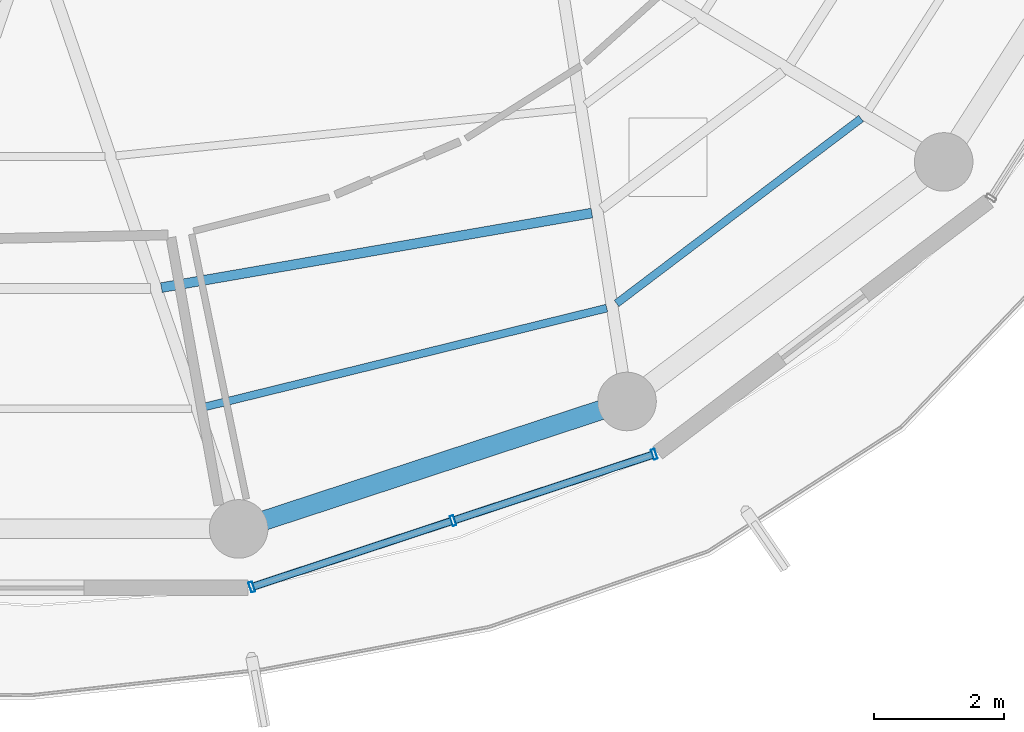
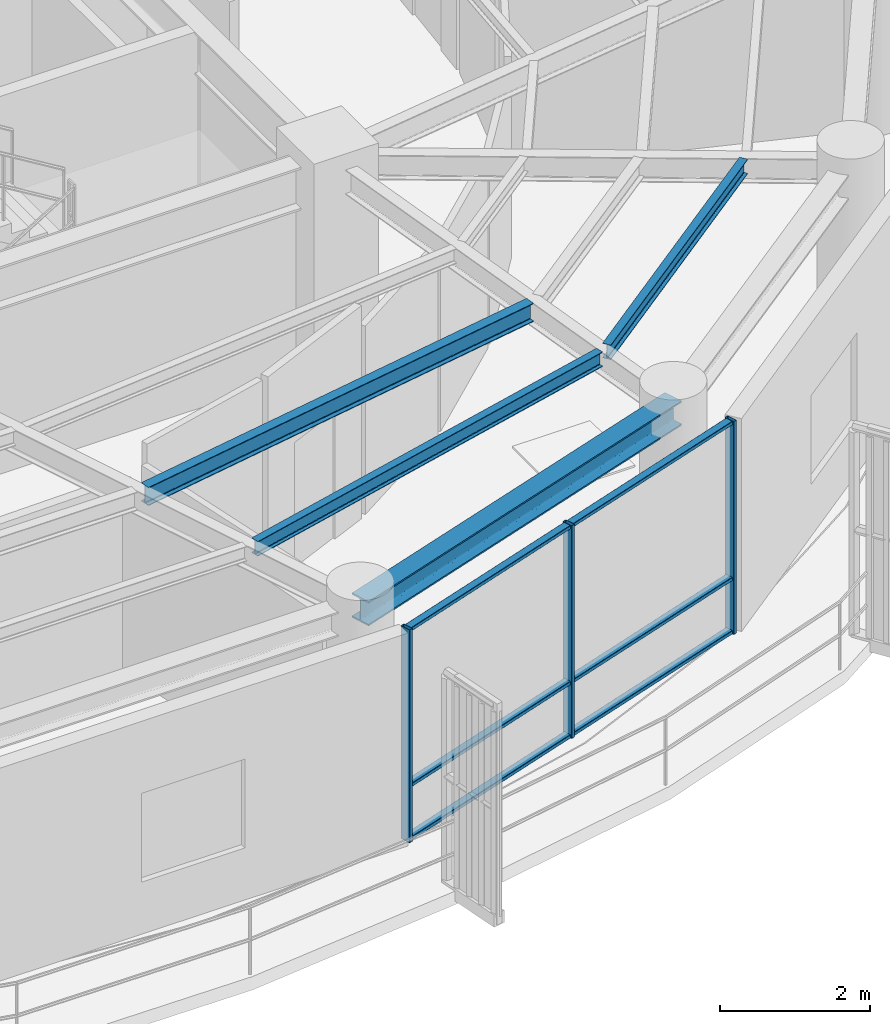
# One storey, part 5 of 23: 9 members, 4 beams, 1 element without a shape of its own.
"""IFC4 building model written with IfcOpenShell, lengths in metres."""

from ifc_helpers import new_model, si_unit, direction, frame, origin, origin_2d, place, context, subcontext, project, spatial, hollow_rectangle, i_section, extrude, material, layer, layer_set, material_profile, profile_set, type_object, element, aggregate, save


model = new_model("IFC4")

# Units and contexts
model_context = context("Model", 3, precision=1e-05, world=origin(), true_north=direction((0.0, 1.0)))
body_context = subcontext(model_context, "Body", "Model", "MODEL_VIEW")
ifc_project = project(units=[si_unit("LENGTHUNIT", "METRE"), si_unit("AREAUNIT", "SQUARE_METRE"), si_unit("VOLUMEUNIT", "CUBIC_METRE"), si_unit("PLANEANGLEUNIT", "RADIAN"), si_unit("MASSUNIT", "GRAM", prefix="KILO")], contexts=[model_context])

# Site, building, storey
site_placement = place(None, origin())
site = spatial("IfcSite", under=ifc_project, at=site_placement, CompositionType="ELEMENT")
building_placement = place(site_placement, origin())
building = spatial("IfcBuilding", under=site, at=building_placement, Name="Kelanora Arch Commons", CompositionType="ELEMENT")
storey_placement = place(building_placement, frame((0.0, 0.0, 286.199951171875)))
storey = spatial("IfcBuildingStorey", under=building, at=storey_placement, Name="L73", CompositionType="ELEMENT", Elevation=286.199951171875)

# Beams
ifc_material_1 = material(Name="Steel S355", Category="steel")
ifc_material_profile_1 = material_profile(ifc_material_1, i_section(OverallWidth=0.14990234375, OverallDepth=0.300048828125, WebThickness=0.007080078125, FlangeThickness=0.0107421875, FilletRadius=0.014892578125, at=origin_2d()), Name="IPE300")
ifc_profile_set_1 = profile_set([ifc_material_profile_1], Name="Steel S355")
beam_type_1 = type_object("IfcBeamType", Name="BM-JST-01", PredefinedType="JOIST", material=ifc_profile_set_1)
beam_1_placement = place(storey_placement, frame((75.98828125, 45.476806640625, 3.340087890625), z_axis=(0.985321568263, 0.170708544357, 0.0), x_axis=(-0.170708544357, 0.985321568263, 0.0)))
element("IfcBeam", 1, at=beam_1_placement, inside=storey, type_object=beam_type_1, Name="Secondary Chord Joist BJB-28 L73", PredefinedType="JOIST", context=body_context, shape_type="SweptSolid", body=[
    extrude(i_section(OverallWidth=0.14990234375, OverallDepth=0.300048828125, WebThickness=0.007080078125, FlangeThickness=0.0107421875, FilletRadius=0.014892578125, at=origin_2d()), origin(), (0.0, 0.0, 1.0), 6.710205078125),
])
ifc_material_profile_2 = material_profile(ifc_material_1, i_section(OverallWidth=0.1201171875, OverallDepth=0.239990234375, WebThickness=0.006103515625, FlangeThickness=0.009765625, FilletRadius=0.014892578125, at=origin_2d()), Name="IPE240")
ifc_profile_set_2 = profile_set([ifc_material_profile_2], Name="Steel S355")
beam_type_2 = type_object("IfcBeamType", Name="BM-JST-02", PredefinedType="JOIST", material=ifc_profile_set_2)
beam_2_placement = place(storey_placement, frame((76.6220703125, 43.63671875, 3.3701171875), z_axis=(0.971109719488, 0.23863342749, 0.0), x_axis=(-0.23863342749, 0.971109719488, 0.0)))
element("IfcBeam", 2, at=beam_2_placement, inside=storey, type_object=beam_type_2, Name="Secondary Chord Joist BJC-28 L73", PredefinedType="JOIST", context=body_context, shape_type="SweptSolid", body=[
    extrude(i_section(OverallWidth=0.1201171875, OverallDepth=0.239990234375, WebThickness=0.006103515625, FlangeThickness=0.009765625, FilletRadius=0.014892578125, at=origin_2d()), origin(), (0.0, 0.0, 1.0), 6.39208984375),
])
beam_3_placement = place(storey_placement, frame((82.979736328125, 45.233642578125, 3.3701171875), z_axis=(0.79752302984, 0.60328850219, 0.0), x_axis=(-0.60328850219, 0.79752302984, 0.0)))
element("IfcBeam", 3, at=beam_3_placement, inside=storey, type_object=beam_type_2, Name="Secondary Chord Joist BJC-30 L73", PredefinedType="JOIST", context=body_context, shape_type="SweptSolid", body=[
    extrude(i_section(OverallWidth=0.1201171875, OverallDepth=0.239990234375, WebThickness=0.006103515625, FlangeThickness=0.009765625, FilletRadius=0.014892578125, at=origin_2d()), origin(), (0.0, 0.0, 1.0), 4.70849609375),
])
ifc_material_profile_3 = material_profile(ifc_material_1, i_section(OverallWidth=0.300048828125, OverallDepth=0.39990234375, WebThickness=0.013427734375, FlangeThickness=0.02392578125, FilletRadius=0.027099609375, at=origin_2d()), Name="HEB400")
ifc_profile_set_3 = profile_set([ifc_material_profile_3], Name="Steel S355")
beam_type_3 = type_object("IfcBeamType", Name="BM-SPN-Z4", PredefinedType="SPANDREL", material=ifc_profile_set_3)
beam_4_placement = place(storey_placement, frame((77.17431640625, 41.7705078125, 3.2900390625), z_axis=(0.950165923039, 0.311744636996, 0.0), x_axis=(-0.311744636996, 0.950165923039, 0.0)))
element("IfcBeam", 4, at=beam_4_placement, inside=storey, type_object=beam_type_3, Name="Perimeter Spandrel Beam BS-28 L73", PredefinedType="SPANDREL", context=body_context, shape_type="SweptSolid", body=[
    extrude(i_section(OverallWidth=0.300048828125, OverallDepth=0.39990234375, WebThickness=0.013427734375, FlangeThickness=0.02392578125, FilletRadius=0.027099609375, at=origin_2d()), origin(), (0.0, 0.0, 1.0), 6.278564453125),
])

# Curtain wall, members
ifc_material_2 = material(Name="Terracotta ceramic-fritted low-E glass and aluminium", Category="masonry")
ifc_layer = layer(ifc_material_2, 0.18994140625)
ifc_layer_set = layer_set([ifc_layer], Name="Terracotta ceramic-fritted low-E glass and aluminium")
curtain_wall_type = type_object("IfcCurtainWallType", Name="CW-SYS-03", PredefinedType="NOTDEFINED", material=ifc_layer_set)
curtain_wall_placement = place(storey_placement, origin())
curtain_wall = element("IfcCurtainWall", 5, at=curtain_wall_placement, inside=storey, type_object=curtain_wall_type, Name="Unitised Curtain Wall L73-B14", PredefinedType="NOTDEFINED")
ifc_material_3 = material(Name="Powder-coated aluminium terracotta", Category="masonry")
ifc_material_profile_4 = material_profile(ifc_material_3, hollow_rectangle(XDim=0.159912109375, YDim=0.06005859375, WallThickness=0.0048828125, InnerFilletRadius=0.0048828125, OuterFilletRadius=0.010009765625, at=origin_2d()), Name="CWM160x60")
ifc_profile_set_4 = profile_set([ifc_material_profile_4], Name="Powder-coated aluminium terracotta")
member_type_1 = type_object("IfcMemberType", Name="CWM-STD", PredefinedType="MULLION", material=ifc_profile_set_4)
member_1_placement = place(storey_placement, frame((77.376708984375, 40.87841796875, 0.0), z_axis=(0.0, 0.0, 1.0), x_axis=(-0.313252785344, 0.949669780752, 0.0)))
member_1 = element("IfcMember", 6, at=member_1_placement, type_object=member_type_1, Name="CW-03 mullion 1", PredefinedType="MULLION", context=body_context, shape_type="SweptSolid", body=[
    extrude(hollow_rectangle(XDim=0.159912109375, YDim=0.06005859375, WallThickness=0.0048828125, InnerFilletRadius=0.0048828125, OuterFilletRadius=0.010009765625, at=origin_2d()), origin(), (0.0, 0.0, 1.0), 3.47509765625),
])
member_2_placement = place(storey_placement, frame((80.467041015625, 41.897705078125, 0.0), z_axis=(0.0, 0.0, 1.0), x_axis=(-0.313252785344, 0.949669780752, 0.0)))
member_2 = element("IfcMember", 7, at=member_2_placement, type_object=member_type_1, Name="CW-03 mullion 2", PredefinedType="MULLION", context=body_context, shape_type="SweptSolid", body=[
    extrude(hollow_rectangle(XDim=0.159912109375, YDim=0.06005859375, WallThickness=0.0048828125, InnerFilletRadius=0.0048828125, OuterFilletRadius=0.010009765625, at=origin_2d()), origin(), (0.0, 0.0, 1.0), 3.47509765625),
])
member_3_placement = place(storey_placement, frame((83.557373046875, 42.9169921875, 0.0), z_axis=(0.0, 0.0, 1.0), x_axis=(-0.313252785344, 0.949669780752, 0.0)))
member_3 = element("IfcMember", 8, at=member_3_placement, type_object=member_type_1, Name="CW-03 mullion 3", PredefinedType="MULLION", context=body_context, shape_type="SweptSolid", body=[
    extrude(hollow_rectangle(XDim=0.159912109375, YDim=0.06005859375, WallThickness=0.0048828125, InnerFilletRadius=0.0048828125, OuterFilletRadius=0.010009765625, at=origin_2d()), origin(), (0.0, 0.0, 1.0), 3.47509765625),
])
ifc_material_profile_5 = material_profile(ifc_material_3, hollow_rectangle(XDim=0.1201171875, YDim=0.06005859375, WallThickness=0.0048828125, InnerFilletRadius=0.0048828125, OuterFilletRadius=0.010009765625, at=origin_2d()), Name="CWT120x60")
ifc_profile_set_5 = profile_set([ifc_material_profile_5], Name="Powder-coated aluminium terracotta")
member_type_2 = type_object("IfcMemberType", Name="CWT-STD", PredefinedType="USERDEFINED", material=ifc_profile_set_5)
member_4_placement = place(storey_placement, frame((77.4052734375, 40.8876953125, 0.030029296875), z_axis=(0.949649574195, 0.313314037719, 0.0), x_axis=(-0.313314037719, 0.949649574195, 0.0)))
member_4 = element("IfcMember", 9, at=member_4_placement, type_object=member_type_2, Name="CW-03 transom 1.1", ObjectType="TRANSOM", PredefinedType="USERDEFINED", context=body_context, shape_type="SweptSolid", body=[
    extrude(hollow_rectangle(XDim=0.1201171875, YDim=0.06005859375, WallThickness=0.0048828125, InnerFilletRadius=0.0048828125, OuterFilletRadius=0.010009765625, at=origin_2d()), origin(), (0.0, 0.0, 1.0), 3.194091796875),
])
member_5_placement = place(storey_placement, frame((77.4052734375, 40.8876953125, 0.900146484375), z_axis=(0.949649574195, 0.313314037719, 0.0), x_axis=(-0.313314037719, 0.949649574195, 0.0)))
member_5 = element("IfcMember", 10, at=member_5_placement, type_object=member_type_2, Name="CW-03 transom 1.2", ObjectType="TRANSOM", PredefinedType="USERDEFINED", context=body_context, shape_type="SweptSolid", body=[
    extrude(hollow_rectangle(XDim=0.1201171875, YDim=0.06005859375, WallThickness=0.0048828125, InnerFilletRadius=0.0048828125, OuterFilletRadius=0.010009765625, at=origin_2d()), origin(), (0.0, 0.0, 1.0), 3.194091796875),
])
member_6_placement = place(storey_placement, frame((77.4052734375, 40.8876953125, 3.445068359375), z_axis=(0.949649574195, 0.313314037719, 0.0), x_axis=(-0.313314037719, 0.949649574195, 0.0)))
member_6 = element("IfcMember", 11, at=member_6_placement, type_object=member_type_2, Name="CW-03 transom 1.3", ObjectType="TRANSOM", PredefinedType="USERDEFINED", context=body_context, shape_type="SweptSolid", body=[
    extrude(hollow_rectangle(XDim=0.1201171875, YDim=0.06005859375, WallThickness=0.0048828125, InnerFilletRadius=0.0048828125, OuterFilletRadius=0.010009765625, at=origin_2d()), origin(), (0.0, 0.0, 1.0), 3.194091796875),
])
member_7_placement = place(storey_placement, frame((80.49560546875, 41.9072265625, 0.030029296875), z_axis=(0.949672315102, 0.313245102003, 0.0), x_axis=(-0.313245102003, 0.949672315102, 0.0)))
member_7 = element("IfcMember", 12, at=member_7_placement, type_object=member_type_2, Name="CW-03 transom 2.1", ObjectType="TRANSOM", PredefinedType="USERDEFINED", context=body_context, shape_type="SweptSolid", body=[
    extrude(hollow_rectangle(XDim=0.1201171875, YDim=0.06005859375, WallThickness=0.0048828125, InnerFilletRadius=0.0048828125, OuterFilletRadius=0.010009765625, at=origin_2d()), origin(), (0.0, 0.0, 1.0), 3.19384765625),
])
member_8_placement = place(storey_placement, frame((80.49560546875, 41.9072265625, 0.900146484375), z_axis=(0.949672315102, 0.313245102003, 0.0), x_axis=(-0.313245102003, 0.949672315102, 0.0)))
member_8 = element("IfcMember", 13, at=member_8_placement, type_object=member_type_2, Name="CW-03 transom 2.2", ObjectType="TRANSOM", PredefinedType="USERDEFINED", context=body_context, shape_type="SweptSolid", body=[
    extrude(hollow_rectangle(XDim=0.1201171875, YDim=0.06005859375, WallThickness=0.0048828125, InnerFilletRadius=0.0048828125, OuterFilletRadius=0.010009765625, at=origin_2d()), origin(), (0.0, 0.0, 1.0), 3.19384765625),
])
member_9_placement = place(storey_placement, frame((80.49560546875, 41.9072265625, 3.445068359375), z_axis=(0.949672315102, 0.313245102003, 0.0), x_axis=(-0.313245102003, 0.949672315102, 0.0)))
member_9 = element("IfcMember", 14, at=member_9_placement, type_object=member_type_2, Name="CW-03 transom 2.3", ObjectType="TRANSOM", PredefinedType="USERDEFINED", context=body_context, shape_type="SweptSolid", body=[
    extrude(hollow_rectangle(XDim=0.1201171875, YDim=0.06005859375, WallThickness=0.0048828125, InnerFilletRadius=0.0048828125, OuterFilletRadius=0.010009765625, at=origin_2d()), origin(), (0.0, 0.0, 1.0), 3.19384765625),
])
aggregate(curtain_wall, [member_1, member_2, member_3, member_4, member_5, member_6, member_7, member_8, member_9])

save(model, "model.ifc")
